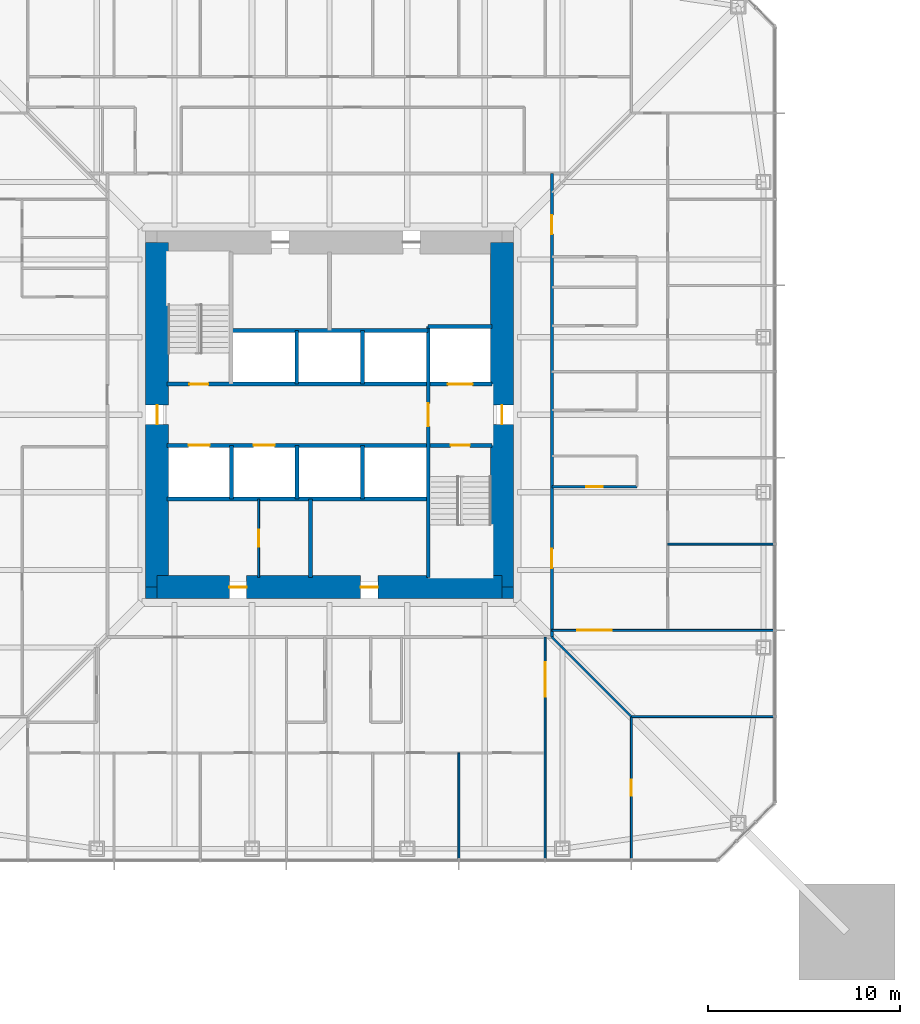
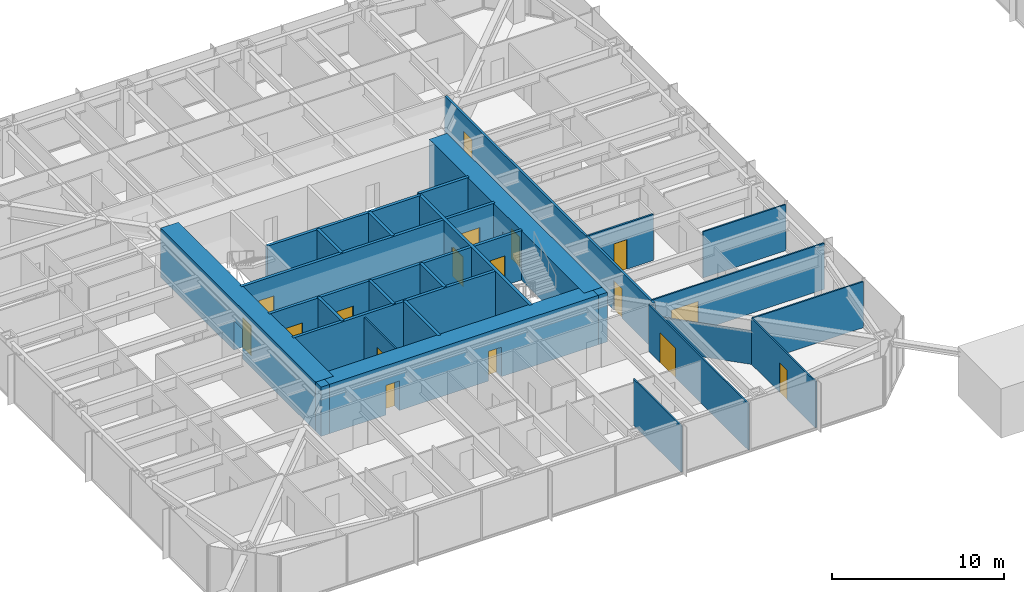
# One storey, part 15 of 26: 27 walls, 17 doors, 17 openings.
"""IFC4 building model written with IfcOpenShell, lengths in metres."""

from ifc_helpers import new_model, si_unit, direction, frame, frame_2d, origin, place, context, subcontext, project, spatial, rectangle, extrude, material, layer, layer_set, type_object, element, fill, save


model = new_model("IFC4")

# Units and contexts
model_context = context("Model", 3, precision=1e-05, world=origin(), true_north=direction((0.0, 1.0)))
body_context = subcontext(model_context, "Body", "Model", "MODEL_VIEW")
ifc_project = project(units=[si_unit("LENGTHUNIT", "METRE"), si_unit("AREAUNIT", "SQUARE_METRE"), si_unit("VOLUMEUNIT", "CUBIC_METRE"), si_unit("PLANEANGLEUNIT", "RADIAN"), si_unit("MASSUNIT", "GRAM", prefix="KILO")], contexts=[model_context])

# Site, building, storey
site_placement = place(None, origin())
site = spatial("IfcSite", under=ifc_project, at=site_placement, CompositionType="ELEMENT")
building_placement = place(site_placement, origin())
building = spatial("IfcBuilding", under=site, at=building_placement, Name="Iwan Alto Co-Living Towers", CompositionType="ELEMENT")
storey_placement = place(building_placement, frame((0.0, 0.0, 36.0)))
storey = spatial("IfcBuildingStorey", under=building, at=storey_placement, Name="L09", CompositionType="ELEMENT", Elevation=36.0)

# Wall, openings, doors
ifc_material_1 = material(Name="Gypsum board")
ifc_layer_1 = layer(ifc_material_1, 0.02490234375, Name="Board", Category="Finish")
ifc_material_2 = material(Name="Steel ASTM A1003 ST33H cold-formed studs", Category="steel")
ifc_layer_2 = layer(ifc_material_2, 0.10009765625, Name="Studs", Category="Framing")
ifc_layer_3 = layer(ifc_material_1, 0.02490234375, Name="Board", Category="Finish")
ifc_layer_set_1 = layer_set([ifc_layer_1, ifc_layer_2, ifc_layer_3], Name="CORRIDOR WALL 150")
wall_type_1 = type_object("IfcWallType", Name="CORRIDOR WALL 150", PredefinedType="PARTITIONING", material=ifc_layer_set_1)
wall_1_placement = place(storey_placement, frame((11.60009765625, -11.60009765625, 0.0), z_axis=(0.0, 0.0, 1.0), x_axis=(0.0, 1.0, 0.0)))
wall_1 = element("IfcWall", 1, at=wall_1_placement, inside=storey, type_object=wall_type_1, Name="Partition L09", PredefinedType="PARTITIONING", context=body_context, shape_type="SweptSolid", body=[
    extrude(rectangle(XDim=24.2001953125, YDim=0.14990234375, at=frame_2d((12.10009765625, 0.0))), origin(), (0.0, 0.0, 1.0), 3.27001953125),
])
opening_1_placement = place(wall_1_placement, frame((3.60009765625, 0.0, 0.0)))
opening_1 = element("IfcOpeningElement", 2, at=opening_1_placement, cuts=wall_1, Name="Opening D3", PredefinedType="OPENING", context=body_context, shape_type="SweptSolid", body=[
    extrude(rectangle(XDim=1.0, YDim=2.10009765625, at=frame_2d((0.5, 1.050048828125))), frame((0.0, 0.0849609375, 0.0), z_axis=(0.0, -1.0, 0.0), x_axis=(1.0, 0.0, 0.0)), (0.0, 0.0, 1.0), 0.169921875),
])
opening_2_placement = place(wall_1_placement, frame((21.02490234375, 0.0, 0.0)))
opening_2 = element("IfcOpeningElement", 3, at=opening_2_placement, cuts=wall_1, Name="Opening D3", PredefinedType="OPENING", context=body_context, shape_type="SweptSolid", body=[
    extrude(rectangle(XDim=1.0, YDim=2.10009765625, at=frame_2d((0.5, 1.050048828125))), frame((0.0, 0.0849609375, 0.0), z_axis=(0.0, -1.0, 0.0), x_axis=(1.0, 0.0, 0.0)), (0.0, 0.0, 1.0), 0.169921875),
])
ifc_material_3 = material(Name="Steel frame with timber leaf", Category="steel")
door_type_1 = type_object("IfcDoorType", Name="FLAT ENTRANCE DOOR FD30S 1000X2100", OperationType="SINGLE_SWING_LEFT", PredefinedType="DOOR", material=ifc_material_3)
door_1_placement = place(opening_1_placement, frame((1.0, 0.0, 0.0), z_axis=(0.0, 0.0, 1.0), x_axis=(-1.0, 0.0, 0.0)))
door_1 = element("IfcDoor", 4, at=door_1_placement, inside=storey, type_object=door_type_1, Name="Cluster lounge and shared kitchen door L09", OperationType="SINGLE_SWING_RIGHT", OverallHeight=2.10009765625, OverallWidth=1.0, PredefinedType="DOOR", context=body_context, shape_type="SweptSolid", body=[
    extrude(rectangle(XDim=1.0, YDim=2.10009765625, at=frame_2d((0.5, 1.050048828125))), frame((0.0, 0.02490234375, 0.0), z_axis=(0.0, -1.0, 0.0), x_axis=(1.0, 0.0, 0.0)), (0.0, 0.0, 1.0), 0.050048828125),
])
fill(opening_1, door_1)
door_2_placement = place(opening_2_placement, frame((1.0, 0.0, 0.0), z_axis=(0.0, 0.0, 1.0), x_axis=(-1.0, 0.0, 0.0)))
door_2 = element("IfcDoor", 5, at=door_2_placement, inside=storey, type_object=door_type_1, Name="Cluster lounge door L09", OperationType="SINGLE_SWING_RIGHT", OverallHeight=2.10009765625, OverallWidth=1.0, PredefinedType="DOOR", context=body_context, shape_type="SweptSolid", body=[
    extrude(rectangle(XDim=1.0, YDim=2.10009765625, at=frame_2d((0.5, 1.050048828125))), frame((0.0, 0.02490234375, 0.0), z_axis=(0.0, -1.0, 0.0), x_axis=(1.0, 0.0, 0.0)), (0.0, 0.0, 1.0), 0.050048828125),
])
fill(opening_2, door_2)

# Wall
ifc_layer_4 = layer(ifc_material_1, 0.012451171875, Name="Board", Category="Finish")
ifc_layer_5 = layer(ifc_material_2, 0.074951171875, Name="Studs", Category="Framing")
ifc_layer_6 = layer(ifc_material_1, 0.012451171875, Name="Board", Category="Finish")
ifc_layer_set_2 = layer_set([ifc_layer_4, ifc_layer_5, ifc_layer_6], Name="PARTITION 100")
wall_type_2 = type_object("IfcWallType", Name="PARTITION 100", PredefinedType="PARTITIONING", material=ifc_layer_set_2)
wall_2_placement = place(storey_placement, frame((15.75, -15.75, 0.0), z_axis=(0.0, 0.0, 1.0), x_axis=(1.0, 0.0, 0.0)))
element("IfcWall", 6, at=wall_2_placement, inside=storey, type_object=wall_type_2, Name="Partition L09", PredefinedType="PARTITIONING", context=body_context, shape_type="SweptSolid", body=[
    extrude(rectangle(XDim=7.43994140625, YDim=0.10009765625, at=frame_2d((3.719970703125, 0.0))), origin(), (0.0, 0.0, 1.0), 3.27001953125),
])

# Wall, opening, door
wall_3_placement = place(storey_placement, frame((11.60009765625, -11.25, 0.0), z_axis=(0.0, 0.0, 1.0), x_axis=(1.0, 0.0, 0.0)))
wall_3 = element("IfcWall", 7, at=wall_3_placement, inside=storey, type_object=wall_type_2, Name="Partition L09", PredefinedType="PARTITIONING", context=body_context, shape_type="SweptSolid", body=[
    extrude(rectangle(XDim=11.58984375, YDim=0.10009765625, at=frame_2d((5.794921875, 0.0))), origin(), (0.0, 0.0, 1.0), 3.27001953125),
])
opening_3_placement = place(wall_3_placement, frame((1.324951171875, 0.0, 0.0)))
opening_3 = element("IfcOpeningElement", 8, at=opening_3_placement, cuts=wall_3, Name="Opening D14", PredefinedType="OPENING", context=body_context, shape_type="SweptSolid", body=[
    extrude(rectangle(XDim=1.800048828125, YDim=2.10009765625, at=frame_2d((0.89990234375, 1.050048828125))), frame((0.0, 0.06005859375, 0.0), z_axis=(0.0, -1.0, 0.0), x_axis=(1.0, 0.0, 0.0)), (0.0, 0.0, 1.0), 0.1201171875),
])
ifc_material_4 = material(Name="Timber leaf in steel frame", Category="steel")
door_type_2 = type_object("IfcDoorType", Name="LOUNGE DOOR 1800X2100", OperationType="DOUBLE_DOOR_SINGLE_SWING", PredefinedType="DOOR", material=ifc_material_4)
door_3_placement = place(opening_3_placement, origin())
door_3 = element("IfcDoor", 9, at=door_3_placement, inside=storey, type_object=door_type_2, Name="Music practice room door L09", OperationType="DOUBLE_DOOR_SINGLE_SWING", OverallHeight=2.10009765625, OverallWidth=1.800048828125, PredefinedType="DOOR", context=body_context, shape_type="SweptSolid", body=[
    extrude(rectangle(XDim=1.800048828125, YDim=2.10009765625, at=frame_2d((0.89990234375, 1.050048828125))), frame((0.0, 0.02490234375, 0.0), z_axis=(0.0, -1.0, 0.0), x_axis=(1.0, 0.0, 0.0)), (0.0, 0.0, 1.0), 0.050048828125),
])
fill(opening_3, door_3)

# Wall
wall_4_placement = place(storey_placement, frame((17.64990234375, -6.75, 0.0), z_axis=(0.0, 0.0, 1.0), x_axis=(1.0, 0.0, 0.0)))
element("IfcWall", 10, at=wall_4_placement, inside=storey, type_object=wall_type_2, Name="Partition L09", PredefinedType="PARTITIONING", context=body_context, shape_type="SweptSolid", body=[
    extrude(rectangle(XDim=5.5400390625, YDim=0.10009765625, at=frame_2d((2.77001953125, 0.0))), origin(), (0.0, 0.0, 1.0), 3.27001953125),
])

# Wall, opening, door
wall_5_placement = place(storey_placement, frame((15.75, -23.18994140625, 0.0), z_axis=(0.0, 0.0, 1.0), x_axis=(0.0, 1.0, 0.0)))
wall_5 = element("IfcWall", 11, at=wall_5_placement, inside=storey, type_object=wall_type_2, Name="Partition L09", PredefinedType="PARTITIONING", context=body_context, shape_type="SweptSolid", body=[
    extrude(rectangle(XDim=7.43994140625, YDim=0.10009765625, at=frame_2d((3.719970703125, 0.0))), origin(), (0.0, 0.0, 1.0), 3.27001953125),
])
opening_4_placement = place(wall_5_placement, frame((3.294921875, 0.0, 0.0)))
opening_4 = element("IfcOpeningElement", 12, at=opening_4_placement, cuts=wall_5, Name="Opening D2", PredefinedType="OPENING", context=body_context, shape_type="SweptSolid", body=[
    extrude(rectangle(XDim=0.85009765625, YDim=2.10009765625, at=frame_2d((0.425048828125, 1.050048828125))), frame((0.0, 0.06005859375, 0.0), z_axis=(0.0, -1.0, 0.0), x_axis=(1.0, 0.0, 0.0)), (0.0, 0.0, 1.0), 0.1201171875),
])
ifc_material_5 = material(Name="Timber leaf in steel frame", Category="steel")
door_type_3 = type_object("IfcDoorType", Name="ROOM DOOR 850X2100", OperationType="SINGLE_SWING_LEFT", PredefinedType="DOOR", material=ifc_material_5)
door_4_placement = place(opening_4_placement, frame((0.85009765625, 0.0, 0.0), z_axis=(0.0, 0.0, 1.0), x_axis=(-1.0, 0.0, 0.0)))
door_4 = element("IfcDoor", 13, at=door_4_placement, inside=storey, type_object=door_type_3, Name="Shared kitchen and lounge door L09", OperationType="SINGLE_SWING_LEFT", OverallHeight=2.10009765625, OverallWidth=0.85009765625, PredefinedType="DOOR", context=body_context, shape_type="SweptSolid", body=[
    extrude(rectangle(XDim=0.85009765625, YDim=2.10009765625, at=frame_2d((0.425048828125, 1.050048828125))), frame((0.0, 0.02490234375, 0.0), z_axis=(0.0, -1.0, 0.0), x_axis=(1.0, 0.0, 0.0)), (0.0, 0.0, 1.0), 0.050048828125),
])
fill(opening_4, door_4)

wall_6_placement = place(storey_placement, frame((11.25, -23.18994140625, 0.0), z_axis=(0.0, 0.0, 1.0), x_axis=(0.0, 1.0, 0.0)))
wall_6 = element("IfcWall", 14, at=wall_6_placement, inside=storey, type_object=wall_type_2, Name="Partition L09", PredefinedType="PARTITIONING", context=body_context, shape_type="SweptSolid", body=[
    extrude(rectangle(XDim=11.58984375, YDim=0.10009765625, at=frame_2d((5.794921875, 0.0))), origin(), (0.0, 0.0, 1.0), 3.27001953125),
])
opening_5_placement = place(wall_6_placement, frame((8.465087890625, 0.0, 0.0)))
opening_5 = element("IfcOpeningElement", 15, at=opening_5_placement, cuts=wall_6, Name="Opening D14", PredefinedType="OPENING", context=body_context, shape_type="SweptSolid", body=[
    extrude(rectangle(XDim=1.800048828125, YDim=2.10009765625, at=frame_2d((0.89990234375, 1.050048828125))), frame((0.0, 0.06005859375, 0.0), z_axis=(0.0, -1.0, 0.0), x_axis=(1.0, 0.0, 0.0)), (0.0, 0.0, 1.0), 0.1201171875),
])
door_5_placement = place(opening_5_placement, origin())
door_5 = element("IfcDoor", 16, at=door_5_placement, inside=storey, type_object=door_type_2, Name="Games room door L09", OperationType="DOUBLE_DOOR_SINGLE_SWING", OverallHeight=2.10009765625, OverallWidth=1.800048828125, PredefinedType="DOOR", context=body_context, shape_type="SweptSolid", body=[
    extrude(rectangle(XDim=1.800048828125, YDim=2.10009765625, at=frame_2d((0.89990234375, 1.050048828125))), frame((0.0, 0.02490234375, 0.0), z_axis=(0.0, -1.0, 0.0), x_axis=(1.0, 0.0, 0.0)), (0.0, 0.0, 1.0), 0.050048828125),
])
fill(opening_5, door_5)

# Wall
wall_7_placement = place(storey_placement, frame((6.75, -23.18994140625, 0.0), z_axis=(0.0, 0.0, 1.0), x_axis=(0.0, 1.0, 0.0)))
element("IfcWall", 17, at=wall_7_placement, inside=storey, type_object=wall_type_2, Name="Partition L09", PredefinedType="PARTITIONING", context=body_context, shape_type="SweptSolid", body=[
    extrude(rectangle(XDim=5.5400390625, YDim=0.10009765625, at=frame_2d((2.77001953125, 0.0))), origin(), (0.0, 0.0, 1.0), 3.27001953125),
])

# Wall, opening, door
wall_8_placement = place(storey_placement, frame((-3.699951171875, -8.489990234375, 0.0), z_axis=(0.0, 0.0, 1.0), x_axis=(0.0, 1.0, 0.0)))
wall_8 = element("IfcWall", 18, at=wall_8_placement, inside=storey, type_object=wall_type_2, Name="Partition L09", PredefinedType="PARTITIONING", context=body_context, shape_type="SweptSolid", body=[
    extrude(rectangle(XDim=4.090087890625, YDim=0.10009765625, at=frame_2d((2.044921875, 0.0))), origin(), (0.0, 0.0, 1.0), 3.300048828125),
])
opening_6_placement = place(wall_8_placement, frame((1.594970703125, 0.0, 0.0)))
opening_6 = element("IfcOpeningElement", 19, at=opening_6_placement, cuts=wall_8, Name="Opening D16", PredefinedType="OPENING", context=body_context, shape_type="SweptSolid", body=[
    extrude(rectangle(XDim=0.89990234375, YDim=2.10009765625, at=frame_2d((0.449951171875, 1.050048828125))), frame((0.0, 0.06005859375, 0.0), z_axis=(0.0, -1.0, 0.0), x_axis=(1.0, 0.0, 0.0)), (0.0, 0.0, 1.0), 0.1201171875),
])
ifc_material_6 = material(Name="Timber leaf in steel frame", Category="steel")
door_type_4 = type_object("IfcDoorType", Name="CUPBOARD SLIDING DOOR 900X2100", OperationType="SLIDING_TO_LEFT", PredefinedType="DOOR", material=ifc_material_6)
door_6_placement = place(opening_6_placement, origin())
door_6 = element("IfcDoor", 20, at=door_6_placement, inside=storey, type_object=door_type_4, Name="Bin store door L09", OperationType="SLIDING_TO_LEFT", OverallHeight=2.10009765625, OverallWidth=0.89990234375, PredefinedType="DOOR", context=body_context, shape_type="SweptSolid", body=[
    extrude(rectangle(XDim=0.89990234375, YDim=2.10009765625, at=frame_2d((0.449951171875, 1.050048828125))), frame((0.0, 0.02490234375, 0.0), z_axis=(0.0, -1.0, 0.0), x_axis=(1.0, 0.0, 0.0)), (0.0, 0.0, 1.0), 0.050048828125),
])
fill(opening_6, door_6)

# Walls
wall_9_placement = place(storey_placement, frame((15.75, -15.75, 0.0), z_axis=(0.0, 0.0, 1.0), x_axis=(-0.707106781187, 0.707106781187, 0.0)))
element("IfcWall", 21, at=wall_9_placement, inside=storey, type_object=wall_type_2, Name="Partition L09", PredefinedType="PARTITIONING", context=body_context, shape_type="SweptSolid", body=[
    extrude(rectangle(XDim=5.868896484375, YDim=0.10009765625, at=frame_2d((2.9345703125, 0.0))), origin(), (0.0, 0.0, 1.0), 2.343017578125),
])
ifc_material_7 = material(Name="Concrete f'c 70 MPa", Category="concrete")
ifc_layer_7 = layer(ifc_material_7, 0.199951171875)
ifc_layer_set_3 = layer_set([ifc_layer_7], Name="SHAFT WALL 200")
wall_type_3 = type_object("IfcWallType", Name="SHAFT WALL 200", PredefinedType="SOLIDWALL", material=ifc_layer_set_3)
wall_10_placement = place(storey_placement, frame((-8.489990234375, -4.39990234375, 0.0), z_axis=(0.0, 0.0, 1.0), x_axis=(1.0, 0.0, 0.0)))
element("IfcWall", 22, at=wall_10_placement, inside=storey, type_object=wall_type_3, Name="Shaft wall L09", PredefinedType="SOLIDWALL", context=body_context, shape_type="SweptSolid", body=[
    extrude(rectangle(XDim=13.639892578125, YDim=0.199951171875, at=frame_2d((6.81982421875, 0.0))), origin(), (0.0, 0.0, 1.0), 3.5),
])

# Wall, openings, doors
wall_11_placement = place(storey_placement, frame((-8.489990234375, -1.60009765625, 0.0), z_axis=(0.0, 0.0, 1.0), x_axis=(1.0, 0.0, 0.0)))
wall_11 = element("IfcWall", 23, at=wall_11_placement, inside=storey, type_object=wall_type_3, Name="Shaft wall L09", PredefinedType="SOLIDWALL", context=body_context, shape_type="SweptSolid", body=[
    extrude(rectangle(XDim=16.97998046875, YDim=0.199951171875, at=frame_2d((8.489990234375, 0.0))), origin(), (0.0, 0.0, 1.0), 3.5),
])
opening_7_placement = place(wall_11_placement, frame((14.81005859375, 0.0, 0.0)))
opening_7 = element("IfcOpeningElement", 24, at=opening_7_placement, cuts=wall_11, Name="Opening D5", PredefinedType="OPENING", context=body_context, shape_type="SweptSolid", body=[
    extrude(rectangle(XDim=1.0, YDim=2.10009765625, at=frame_2d((0.5, 1.050048828125))), frame((0.0, 0.10986328125, 0.0), z_axis=(0.0, -1.0, 0.0), x_axis=(1.0, 0.0, 0.0)), (0.0, 0.0, 1.0), 0.219970703125),
])
opening_8_placement = place(wall_11_placement, frame((1.133056640625, 0.0, 0.0)))
opening_8 = element("IfcOpeningElement", 25, at=opening_8_placement, cuts=wall_11, Name="Opening LD", PredefinedType="OPENING", context=body_context, shape_type="SweptSolid", body=[
    extrude(rectangle(XDim=1.10009765625, YDim=2.10009765625, at=frame_2d((0.550048828125, 1.050048828125))), frame((0.0, 0.10986328125, 0.0), z_axis=(0.0, -1.0, 0.0), x_axis=(1.0, 0.0, 0.0)), (0.0, 0.0, 1.0), 0.219970703125),
])
opening_9_placement = place(wall_11_placement, frame((4.528076171875, 0.0, 0.0)))
opening_9 = element("IfcOpeningElement", 26, at=opening_9_placement, cuts=wall_11, Name="Opening LD", PredefinedType="OPENING", context=body_context, shape_type="SweptSolid", body=[
    extrude(rectangle(XDim=1.10009765625, YDim=2.10009765625, at=frame_2d((0.550048828125, 1.050048828125))), frame((0.0, 0.10986328125, 0.0), z_axis=(0.0, -1.0, 0.0), x_axis=(1.0, 0.0, 0.0)), (0.0, 0.0, 1.0), 0.219970703125),
])
ifc_material_8 = material(Name="Steel frame with timber leaf", Category="steel")
door_type_5 = type_object("IfcDoorType", Name="LIFT LANDING DOOR 1100X2100", OperationType="DOUBLE_DOOR_SLIDING", PredefinedType="DOOR", material=ifc_material_8)
door_7_placement = place(opening_8_placement, origin())
door_7 = element("IfcDoor", 27, at=door_7_placement, inside=storey, type_object=door_type_5, Name="Lift P1-1 landing door L09", OperationType="DOUBLE_DOOR_SLIDING", OverallHeight=2.10009765625, OverallWidth=1.10009765625, PredefinedType="DOOR", context=body_context, shape_type="SweptSolid", body=[
    extrude(rectangle(XDim=1.10009765625, YDim=2.10009765625, at=frame_2d((0.550048828125, 1.050048828125))), frame((0.0, 0.02490234375, 0.0), z_axis=(0.0, -1.0, 0.0), x_axis=(1.0, 0.0, 0.0)), (0.0, 0.0, 1.0), 0.050048828125),
])
fill(opening_8, door_7)
door_8_placement = place(opening_9_placement, origin())
door_8 = element("IfcDoor", 28, at=door_8_placement, inside=storey, type_object=door_type_5, Name="Lift P1-2 landing door L09", OperationType="DOUBLE_DOOR_SLIDING", OverallHeight=2.10009765625, OverallWidth=1.10009765625, PredefinedType="DOOR", context=body_context, shape_type="SweptSolid", body=[
    extrude(rectangle(XDim=1.10009765625, YDim=2.10009765625, at=frame_2d((0.550048828125, 1.050048828125))), frame((0.0, 0.02490234375, 0.0), z_axis=(0.0, -1.0, 0.0), x_axis=(1.0, 0.0, 0.0)), (0.0, 0.0, 1.0), 0.050048828125),
])
fill(opening_9, door_8)
ifc_material_9 = material(Name="Steel frame with timber leaf", Category="steel")
door_type_6 = type_object("IfcDoorType", Name="STAIR DOOR FD120S 1000X2100", OperationType="SINGLE_SWING_LEFT", PredefinedType="DOOR", material=ifc_material_9)
door_9_placement = place(opening_7_placement, frame((1.0, 0.0, 0.0), z_axis=(0.0, 0.0, 1.0), x_axis=(-1.0, 0.0, 0.0)))
door_9 = element("IfcDoor", 29, at=door_9_placement, inside=storey, type_object=door_type_6, Name="Stair S2 door L09", OperationType="SINGLE_SWING_RIGHT", OverallHeight=2.10009765625, OverallWidth=1.0, PredefinedType="DOOR", context=body_context, shape_type="SweptSolid", body=[
    extrude(rectangle(XDim=1.0, YDim=2.10009765625, at=frame_2d((0.5, 1.050048828125))), frame((0.0, 0.02490234375, 0.0), z_axis=(0.0, -1.0, 0.0), x_axis=(1.0, 0.0, 0.0)), (0.0, 0.0, 1.0), 0.050048828125),
])
fill(opening_7, door_9)

wall_12_placement = place(storey_placement, frame((-8.489990234375, 1.60009765625, 0.0), z_axis=(0.0, 0.0, 1.0), x_axis=(1.0, 0.0, 0.0)))
wall_12 = element("IfcWall", 30, at=wall_12_placement, inside=storey, type_object=wall_type_3, Name="Shaft wall L09", PredefinedType="SOLIDWALL", context=body_context, shape_type="SweptSolid", body=[
    extrude(rectangle(XDim=16.97998046875, YDim=0.199951171875, at=frame_2d((8.489990234375, 0.0))), origin(), (0.0, 0.0, 1.0), 3.5),
])
opening_10_placement = place(wall_12_placement, frame((1.169921875, 0.0, 0.0)))
opening_10 = element("IfcOpeningElement", 31, at=opening_10_placement, cuts=wall_12, Name="Opening D5", PredefinedType="OPENING", context=body_context, shape_type="SweptSolid", body=[
    extrude(rectangle(XDim=1.0, YDim=2.10009765625, at=frame_2d((0.5, 1.050048828125))), frame((0.0, 0.10986328125, 0.0), z_axis=(0.0, -1.0, 0.0), x_axis=(1.0, 0.0, 0.0)), (0.0, 0.0, 1.0), 0.219970703125),
])
opening_11_placement = place(wall_12_placement, frame((14.659912109375, 0.0, 0.0)))
opening_11 = element("IfcOpeningElement", 32, at=opening_11_placement, cuts=wall_12, Name="Opening LD2", PredefinedType="OPENING", context=body_context, shape_type="SweptSolid", body=[
    extrude(rectangle(XDim=1.300048828125, YDim=2.10009765625, at=frame_2d((0.64990234375, 1.050048828125))), frame((0.0, 0.10986328125, 0.0), z_axis=(0.0, -1.0, 0.0), x_axis=(1.0, 0.0, 0.0)), (0.0, 0.0, 1.0), 0.219970703125),
])
ifc_material_10 = material(Name="Steel frame with timber leaf", Category="steel")
door_type_7 = type_object("IfcDoorType", Name="LIFT LANDING DOOR 1300X2100", OperationType="SLIDING_TO_LEFT", PredefinedType="DOOR", material=ifc_material_10)
door_10_placement = place(opening_11_placement, origin())
door_10 = element("IfcDoor", 33, at=door_10_placement, inside=storey, type_object=door_type_7, Name="Lift FL1 landing door L09", OperationType="SLIDING_TO_LEFT", OverallHeight=2.10009765625, OverallWidth=1.300048828125, PredefinedType="DOOR", context=body_context, shape_type="SweptSolid", body=[
    extrude(rectangle(XDim=1.300048828125, YDim=2.10009765625, at=frame_2d((0.64990234375, 1.050048828125))), frame((0.0, 0.02490234375, 0.0), z_axis=(0.0, -1.0, 0.0), x_axis=(1.0, 0.0, 0.0)), (0.0, 0.0, 1.0), 0.050048828125),
])
fill(opening_11, door_10)
door_11_placement = place(opening_10_placement, origin())
door_11 = element("IfcDoor", 34, at=door_11_placement, inside=storey, type_object=door_type_6, Name="Stair S1 door L09", OperationType="SINGLE_SWING_RIGHT", OverallHeight=2.10009765625, OverallWidth=1.0, PredefinedType="DOOR", context=body_context, shape_type="SweptSolid", body=[
    extrude(rectangle(XDim=1.0, YDim=2.10009765625, at=frame_2d((0.5, 1.050048828125))), frame((0.0, 0.02490234375, 0.0), z_axis=(0.0, -1.0, 0.0), x_axis=(1.0, 0.0, 0.0)), (0.0, 0.0, 1.0), 0.050048828125),
])
fill(opening_10, door_11)

# Walls
wall_13_placement = place(storey_placement, frame((-5.14990234375, 4.39990234375, 0.0), z_axis=(0.0, 0.0, 1.0), x_axis=(1.0, 0.0, 0.0)))
element("IfcWall", 35, at=wall_13_placement, inside=storey, type_object=wall_type_3, Name="Shaft wall L09", PredefinedType="SOLIDWALL", context=body_context, shape_type="SweptSolid", body=[
    extrude(rectangle(XDim=10.2998046875, YDim=0.199951171875, at=frame_2d((5.14990234375, 0.0))), origin(), (0.0, 0.0, 1.0), 3.5),
])
wall_14_placement = place(storey_placement, frame((5.14990234375, 4.60009765625, 0.0), z_axis=(0.0, 0.0, 1.0), x_axis=(1.0, 0.0, 0.0)))
element("IfcWall", 36, at=wall_14_placement, inside=storey, type_object=wall_type_3, Name="Shaft wall L09", PredefinedType="SOLIDWALL", context=body_context, shape_type="SweptSolid", body=[
    extrude(rectangle(XDim=3.340087890625, YDim=0.199951171875, at=frame_2d((1.669921875, 0.0))), origin(), (0.0, 0.0, 1.0), 3.5),
])

# Wall, opening, door
wall_15_placement = place(storey_placement, frame((5.14990234375, -8.489990234375, 0.0), z_axis=(0.0, 0.0, 1.0), x_axis=(0.0, 1.0, 0.0)))
wall_15 = element("IfcWall", 37, at=wall_15_placement, inside=storey, type_object=wall_type_3, Name="Shaft wall L09", PredefinedType="SOLIDWALL", context=body_context, shape_type="SweptSolid", body=[
    extrude(rectangle(XDim=13.090087890625, YDim=0.199951171875, at=frame_2d((6.544921875, 0.0))), origin(), (0.0, 0.0, 1.0), 3.5),
])
opening_12_placement = place(wall_15_placement, frame((7.889892578125, 0.0, 0.0)))
opening_12 = element("IfcOpeningElement", 38, at=opening_12_placement, cuts=wall_15, Name="Opening D6", PredefinedType="OPENING", context=body_context, shape_type="SweptSolid", body=[
    extrude(rectangle(XDim=1.199951171875, YDim=2.10009765625, at=frame_2d((0.60009765625, 1.050048828125))), frame((0.0, 0.10986328125, 0.0), z_axis=(0.0, -1.0, 0.0), x_axis=(1.0, 0.0, 0.0)), (0.0, 0.0, 1.0), 0.219970703125),
])
ifc_material_11 = material(Name="Steel frame with timber leaf", Category="steel")
door_type_8 = type_object("IfcDoorType", Name="LOBBY DOOR FD120S 1200X2100", OperationType="SINGLE_SWING_LEFT", PredefinedType="DOOR", material=ifc_material_11)
door_12_placement = place(opening_12_placement, frame((1.199951171875, 0.0, 0.0), z_axis=(0.0, 0.0, 1.0), x_axis=(-1.0, 0.0, 0.0)))
door_12 = element("IfcDoor", 39, at=door_12_placement, inside=storey, type_object=door_type_8, Name="Firefighting lobby door L09", OperationType="SINGLE_SWING_RIGHT", OverallHeight=2.10009765625, OverallWidth=1.199951171875, PredefinedType="DOOR", context=body_context, shape_type="SweptSolid", body=[
    extrude(rectangle(XDim=1.199951171875, YDim=2.10009765625, at=frame_2d((0.60009765625, 1.050048828125))), frame((0.0, 0.02490234375, 0.0), z_axis=(0.0, -1.0, 0.0), x_axis=(1.0, 0.0, 0.0)), (0.0, 0.0, 1.0), 0.050048828125),
])
fill(opening_12, door_12)

# Walls
for number, where, z_axis, x_axis, name in (
    (40, (1.72509765625, -4.39990234375, 0.0), (0.0, 0.0, 1.0), (0.0, 1.0, 0.0), "Shaft wall L09"),
    (41, (1.717041015625, 1.60009765625, 0.0), (0.0, 0.0, 1.0), (0.0, 1.0, 0.0), "Shaft wall L09"),
):
    element("IfcWall", number, at=place(storey_placement, frame(where, z_axis=z_axis, x_axis=x_axis)), inside=storey, type_object=wall_type_3, Name=name, PredefinedType="SOLIDWALL", context=body_context, shape_type="SweptSolid", body=[
        extrude(rectangle(XDim=2.7998046875, YDim=0.199951171875, at=frame_2d((1.39990234375, 0.0))), origin(), (0.0, 0.0, 1.0), 3.5),
    ])
wall_16_placement = place(storey_placement, frame((-1.0, -8.489990234375, 0.0), z_axis=(0.0, 0.0, 1.0), x_axis=(0.0, 1.0, 0.0)))
element("IfcWall", 42, at=wall_16_placement, inside=storey, type_object=wall_type_3, Name="Shaft wall L09", PredefinedType="SOLIDWALL", context=body_context, shape_type="SweptSolid", body=[
    extrude(rectangle(XDim=4.090087890625, YDim=0.199951171875, at=frame_2d((2.044921875, 0.0))), origin(), (0.0, 0.0, 1.0), 3.5),
])
for number, where, z_axis, x_axis, name in (
    (43, (-1.699951171875, -4.39990234375, 0.0), (0.0, 0.0, 1.0), (0.0, 1.0, 0.0), "Shaft wall L09"),
    (44, (-1.717041015625, 1.60009765625, 0.0), (0.0, 0.0, 1.0), (0.0, 1.0, 0.0), "Shaft wall L09"),
    (45, (-5.125, -4.39990234375, 0.0), (0.0, 0.0, 1.0), (0.0, 1.0, 0.0), "Shaft wall L09"),
):
    element("IfcWall", number, at=place(storey_placement, frame(where, z_axis=z_axis, x_axis=x_axis)), inside=storey, type_object=wall_type_3, Name=name, PredefinedType="SOLIDWALL", context=body_context, shape_type="SweptSolid", body=[
        extrude(rectangle(XDim=2.7998046875, YDim=0.199951171875, at=frame_2d((1.39990234375, 0.0))), origin(), (0.0, 0.0, 1.0), 3.5),
    ])
ifc_material_12 = material(Name="Concrete f'c 70 MPa", Category="concrete")
ifc_layer_8 = layer(ifc_material_12, 0.60009765625)
ifc_layer_set_4 = layer_set([ifc_layer_8], Name="T1 CORE CORNER FILL 600")
wall_type_4 = type_object("IfcWallType", Name="T1 CORE CORNER FILL 600", PredefinedType="SOLIDWALL", material=ifc_layer_set_4)
for number, where, z_axis, x_axis, name in (
    (46, (-9.60009765625, -9.300048828125, 0.0), (0.0, 0.0, 1.0), (1.0, 0.0, 0.0), "T1 core corner SW L09"),
    (47, (9.0, -9.300048828125, 0.0), (0.0, 0.0, 1.0), (1.0, 0.0, 0.0), "T1 core corner SE L09"),
):
    element("IfcWall", number, at=place(storey_placement, frame(where, z_axis=z_axis, x_axis=x_axis)), inside=storey, type_object=wall_type_4, Name=name, PredefinedType="SOLIDWALL", context=body_context, shape_type="SweptSolid", body=[
        extrude(rectangle(XDim=0.60009765625, YDim=0.60009765625, at=frame_2d((0.300048828125, 0.0))), origin(), (0.0, 0.0, 1.0), 3.5),
    ])

# Wall, openings, doors
ifc_material_13 = material(Name="Concrete f'c 70 MPa", Category="concrete")
ifc_layer_9 = layer(ifc_material_13, 1.199951171875)
ifc_layer_set_5 = layer_set([ifc_layer_9], Name="T1 CORE WALL 1200")
wall_type_5 = type_object("IfcWallType", Name="T1 CORE WALL 1200", PredefinedType="SHEAR", material=ifc_layer_set_5)
wall_17_placement = place(storey_placement, frame((-9.0, -9.0, 0.0), z_axis=(0.0, 0.0, 1.0), x_axis=(1.0, 0.0, 0.0)))
wall_17 = element("IfcWall", 48, at=wall_17_placement, inside=storey, type_object=wall_type_5, Name="T1 core wall S L09", PredefinedType="SHEAR", context=body_context, shape_type="SweptSolid", body=[
    extrude(rectangle(XDim=18.0, YDim=1.199951171875, at=frame_2d((9.0, 0.0))), origin(), (0.0, 0.0, 1.0), 3.5),
])
opening_13_placement = place(wall_17_placement, frame((3.77490234375, 0.0, 0.0)))
opening_13 = element("IfcOpeningElement", 49, at=opening_13_placement, cuts=wall_17, Name="Opening D8", PredefinedType="OPENING", context=body_context, shape_type="SweptSolid", body=[
    extrude(rectangle(XDim=0.89990234375, YDim=2.10009765625, at=frame_2d((0.449951171875, 1.050048828125))), frame((0.0, 0.60986328125, 0.0), z_axis=(0.0, -1.0, 0.0), x_axis=(1.0, 0.0, 0.0)), (0.0, 0.0, 1.0), 1.219970703125),
])
opening_14_placement = place(wall_17_placement, frame((10.625, 0.0, 0.0)))
opening_14 = element("IfcOpeningElement", 50, at=opening_14_placement, cuts=wall_17, Name="Opening D8", PredefinedType="OPENING", context=body_context, shape_type="SweptSolid", body=[
    extrude(rectangle(XDim=0.89990234375, YDim=2.10009765625, at=frame_2d((0.449951171875, 1.050048828125))), frame((0.0, 0.60986328125, 0.0), z_axis=(0.0, -1.0, 0.0), x_axis=(1.0, 0.0, 0.0)), (0.0, 0.0, 1.0), 1.219970703125),
])
ifc_material_14 = material(Name="Steel frame with timber leaf", Category="steel")
door_type_9 = type_object("IfcDoorType", Name="RISER DOOR FD120 900X2100", OperationType="SINGLE_SWING_LEFT", PredefinedType="DOOR", material=ifc_material_14)
door_13_placement = place(opening_13_placement, origin())
door_13 = element("IfcDoor", 51, at=door_13_placement, inside=storey, type_object=door_type_9, Name="Refuse room core door L09", OperationType="SINGLE_SWING_RIGHT", OverallHeight=2.10009765625, OverallWidth=0.89990234375, PredefinedType="DOOR", context=body_context, shape_type="SweptSolid", body=[
    extrude(rectangle(XDim=0.89990234375, YDim=2.10009765625, at=frame_2d((0.449951171875, 1.050048828125))), frame((0.0, 0.02490234375, 0.0), z_axis=(0.0, -1.0, 0.0), x_axis=(1.0, 0.0, 0.0)), (0.0, 0.0, 1.0), 0.050048828125),
])
fill(opening_13, door_13)
door_14_placement = place(opening_14_placement, origin())
door_14 = element("IfcDoor", 52, at=door_14_placement, inside=storey, type_object=door_type_9, Name="Telecom riser core door L09", OperationType="SINGLE_SWING_LEFT", OverallHeight=2.10009765625, OverallWidth=0.89990234375, PredefinedType="DOOR", context=body_context, shape_type="SweptSolid", body=[
    extrude(rectangle(XDim=0.89990234375, YDim=2.10009765625, at=frame_2d((0.449951171875, 1.050048828125))), frame((0.0, 0.02490234375, 0.0), z_axis=(0.0, -1.0, 0.0), x_axis=(1.0, 0.0, 0.0)), (0.0, 0.0, 1.0), 0.050048828125),
])
fill(opening_14, door_14)

# Wall, opening, door
wall_18_placement = place(storey_placement, frame((9.0, -9.0, 0.0), z_axis=(0.0, 0.0, 1.0), x_axis=(0.0, 1.0, 0.0)))
wall_18 = element("IfcWall", 53, at=wall_18_placement, inside=storey, type_object=wall_type_5, Name="T1 core wall E L09", PredefinedType="SHEAR", context=body_context, shape_type="SweptSolid", body=[
    extrude(rectangle(XDim=18.0, YDim=1.199951171875, at=frame_2d((9.0, 0.0))), origin(), (0.0, 0.0, 1.0), 3.5),
])
opening_15_placement = place(wall_18_placement, frame((8.5, 0.0, 0.0)))
opening_15 = element("IfcOpeningElement", 54, at=opening_15_placement, cuts=wall_18, Name="Opening D7", PredefinedType="OPENING", context=body_context, shape_type="SweptSolid", body=[
    extrude(rectangle(XDim=1.0, YDim=2.10009765625, at=frame_2d((0.5, 1.050048828125))), frame((0.0, 0.60986328125, 0.0), z_axis=(0.0, -1.0, 0.0), x_axis=(1.0, 0.0, 0.0)), (0.0, 0.0, 1.0), 1.219970703125),
])
ifc_material_15 = material(Name="Steel frame with timber leaf", Category="steel")
door_type_10 = type_object("IfcDoorType", Name="CORE DOOR FD120S 1000X2100", OperationType="SINGLE_SWING_LEFT", PredefinedType="DOOR", material=ifc_material_15)
door_15_placement = place(opening_15_placement, origin())
door_15 = element("IfcDoor", 55, at=door_15_placement, inside=storey, type_object=door_type_10, Name="Firefighting lobby core door L09", OperationType="SINGLE_SWING_LEFT", OverallHeight=2.10009765625, OverallWidth=1.0, PredefinedType="DOOR", context=body_context, shape_type="SweptSolid", body=[
    extrude(rectangle(XDim=1.0, YDim=2.10009765625, at=frame_2d((0.5, 1.050048828125))), frame((0.0, 0.02490234375, 0.0), z_axis=(0.0, -1.0, 0.0), x_axis=(1.0, 0.0, 0.0)), (0.0, 0.0, 1.0), 0.050048828125),
])
fill(opening_15, door_15)

wall_19_placement = place(storey_placement, frame((-9.0, 9.0, 0.0), z_axis=(0.0, 0.0, 1.0), x_axis=(0.0, -1.0, 0.0)))
wall_19 = element("IfcWall", 56, at=wall_19_placement, inside=storey, type_object=wall_type_5, Name="T1 core wall W L09", PredefinedType="SHEAR", context=body_context, shape_type="SweptSolid", body=[
    extrude(rectangle(XDim=18.0, YDim=1.199951171875, at=frame_2d((9.0, 0.0))), origin(), (0.0, 0.0, 1.0), 3.5),
])
opening_16_placement = place(wall_19_placement, frame((8.5, 0.0, 0.0)))
opening_16 = element("IfcOpeningElement", 57, at=opening_16_placement, cuts=wall_19, Name="Opening D7", PredefinedType="OPENING", context=body_context, shape_type="SweptSolid", body=[
    extrude(rectangle(XDim=1.0, YDim=2.10009765625, at=frame_2d((0.5, 1.050048828125))), frame((0.0, 0.60986328125, 0.0), z_axis=(0.0, -1.0, 0.0), x_axis=(1.0, 0.0, 0.0)), (0.0, 0.0, 1.0), 1.219970703125),
])
door_16_placement = place(opening_16_placement, origin())
door_16 = element("IfcDoor", 58, at=door_16_placement, inside=storey, type_object=door_type_10, Name="Lift lobby core door L09", OperationType="SINGLE_SWING_RIGHT", OverallHeight=2.10009765625, OverallWidth=1.0, PredefinedType="DOOR", context=body_context, shape_type="SweptSolid", body=[
    extrude(rectangle(XDim=1.0, YDim=2.10009765625, at=frame_2d((0.5, 1.050048828125))), frame((0.0, 0.02490234375, 0.0), z_axis=(0.0, -1.0, 0.0), x_axis=(1.0, 0.0, 0.0)), (0.0, 0.0, 1.0), 0.050048828125),
])
fill(opening_16, door_16)

ifc_material_16 = material(Name="Cement board")
ifc_layer_10 = layer(ifc_material_16, 0.012451171875, Name="Board", Category="Finish")
ifc_layer_11 = layer(ifc_material_2, 0.094970703125, Name="Studs", Category="Framing")
ifc_layer_12 = layer(ifc_material_16, 0.012451171875, Name="Board", Category="Finish")
ifc_layer_set_6 = layer_set([ifc_layer_10, ifc_layer_11, ifc_layer_12], Name="WET AREA PARTITION 120")
wall_type_6 = type_object("IfcWallType", Name="WET AREA PARTITION 120", PredefinedType="PARTITIONING", material=ifc_layer_set_6)
wall_20_placement = place(storey_placement, frame((11.60009765625, -3.75, 0.0), z_axis=(0.0, 0.0, 1.0), x_axis=(1.0, 0.0, 0.0)))
wall_20 = element("IfcWall", 59, at=wall_20_placement, inside=storey, type_object=wall_type_6, Name="Partition L09", PredefinedType="PARTITIONING", context=body_context, shape_type="SweptSolid", body=[
    extrude(rectangle(XDim=4.449951171875, YDim=0.1201171875, at=frame_2d((2.22509765625, 0.0))), origin(), (0.0, 0.0, 1.0), 3.27001953125),
])
opening_17_placement = place(wall_20_placement, frame((1.800048828125, 0.0, 0.0)))
opening_17 = element("IfcOpeningElement", 60, at=opening_17_placement, cuts=wall_20, Name="Opening D2", PredefinedType="OPENING", context=body_context, shape_type="SweptSolid", body=[
    extrude(rectangle(XDim=0.85009765625, YDim=2.10009765625, at=frame_2d((0.425048828125, 1.050048828125))), frame((0.0, 0.070068359375, 0.0), z_axis=(0.0, -1.0, 0.0), x_axis=(1.0, 0.0, 0.0)), (0.0, 0.0, 1.0), 0.14013671875),
])
door_17_placement = place(opening_17_placement, frame((0.85009765625, 0.0, 0.0), z_axis=(0.0, 0.0, 1.0), x_axis=(-1.0, 0.0, 0.0)))
door_17 = element("IfcDoor", 61, at=door_17_placement, inside=storey, type_object=door_type_3, Name="Accessible bathroom door L09", OperationType="SINGLE_SWING_RIGHT", OverallHeight=2.10009765625, OverallWidth=0.85009765625, PredefinedType="DOOR", context=body_context, shape_type="SweptSolid", body=[
    extrude(rectangle(XDim=0.85009765625, YDim=2.10009765625, at=frame_2d((0.425048828125, 1.050048828125))), frame((0.0, 0.02490234375, 0.0), z_axis=(0.0, -1.0, 0.0), x_axis=(1.0, 0.0, 0.0)), (0.0, 0.0, 1.0), 0.050048828125),
])
fill(opening_17, door_17)

save(model, "model.ifc")
